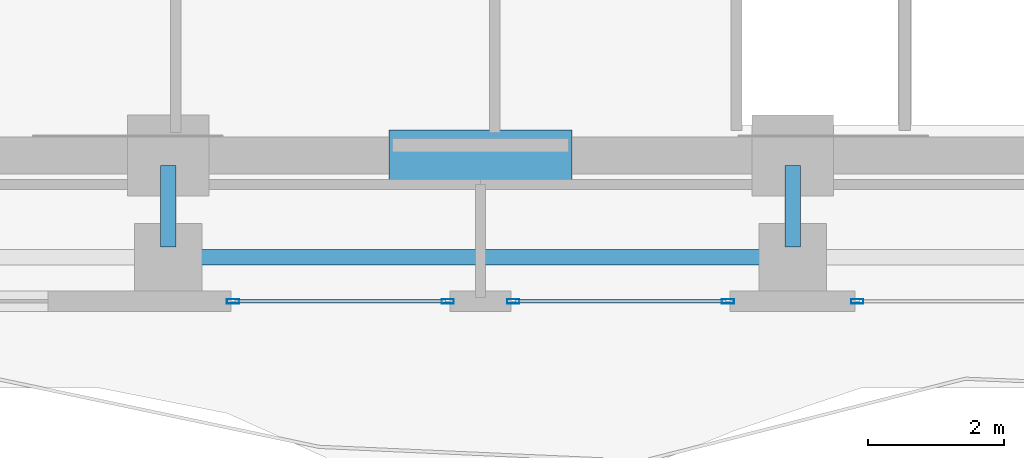
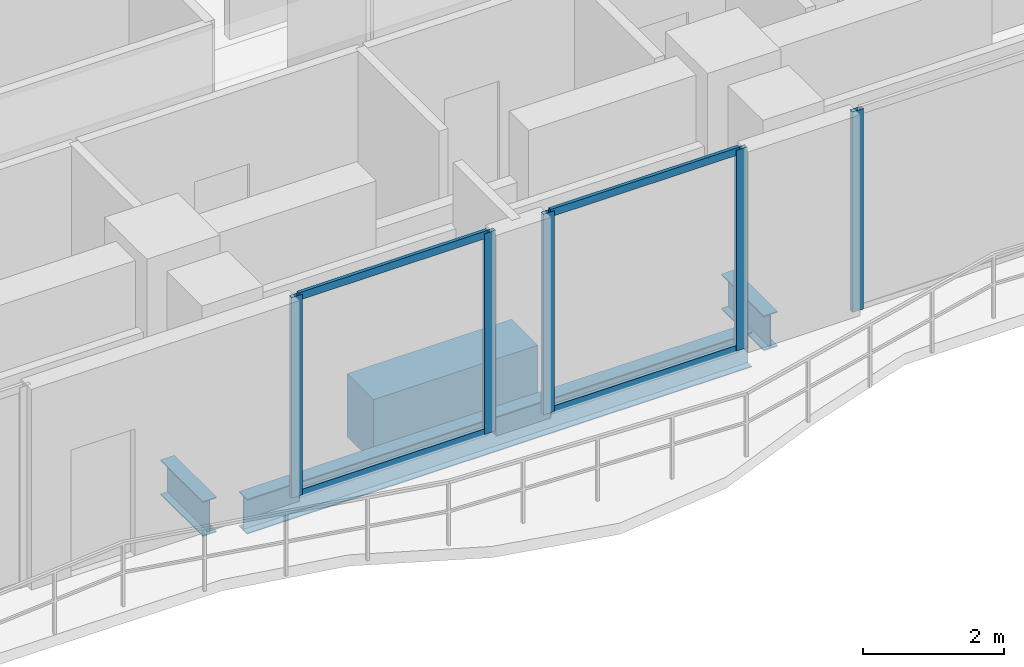
# One storey, part 4 of 24: 9 members, 4 beams, 3 elements without a shape of their own.
"""IFC4 building model written with IfcOpenShell, lengths in metres."""

from ifc_helpers import new_model, si_unit, direction, frame, origin, origin_2d, place, context, subcontext, project, spatial, rectangle, hollow_rectangle, i_section, extrude, material, layer, layer_set, material_profile, profile_set, type_object, element, aggregate, save


model = new_model("IFC4")

# Units and contexts
model_context = context("Model", 3, precision=1e-05, world=origin(), true_north=direction((0.0, 1.0)))
body_context = subcontext(model_context, "Body", "Model", "MODEL_VIEW")
ifc_project = project(units=[si_unit("LENGTHUNIT", "METRE"), si_unit("AREAUNIT", "SQUARE_METRE"), si_unit("VOLUMEUNIT", "CUBIC_METRE"), si_unit("PLANEANGLEUNIT", "RADIAN"), si_unit("MASSUNIT", "GRAM", prefix="KILO")], contexts=[model_context])

# Site, building, storey
site_placement = place(None, origin())
site = spatial("IfcSite", under=ifc_project, at=site_placement, CompositionType="ELEMENT")
building_placement = place(site_placement, origin())
building = spatial("IfcBuilding", under=site, at=building_placement, Name="Zuhayl Quay Hotel", CompositionType="ELEMENT")
storey_placement = place(building_placement, frame((0.0, 0.0, 269.25)))
storey = spatial("IfcBuildingStorey", under=building, at=storey_placement, Name="L68", CompositionType="ELEMENT", Elevation=269.25)

# Beams
ifc_material_1 = material(Name="Steel ASTM A992 Grade 50", Category="steel")
ifc_material_profile_1 = material_profile(ifc_material_1, i_section(OverallWidth=0.22802734375, OverallDepth=0.60693359375, WebThickness=0.01123046875, FlangeThickness=0.017333984375, at=origin_2d()), Name="W24X76")
ifc_profile_set_1 = profile_set([ifc_material_profile_1], Name="Steel ASTM A992 Grade 50")
beam_type_1 = type_object("IfcBeamType", Name="BM_B3_W24X76", PredefinedType="BEAM", material=ifc_profile_set_1)
beam_1_placement = place(storey_placement, frame((-4.139892578125, 0.64990234375, -0.5234375), z_axis=(1.0, 0.0, 0.0), x_axis=(0.0, 1.0, 0.0)))
element("IfcBeam", 1, at=beam_1_placement, inside=storey, type_object=beam_type_1, Name="L68 Floor Beam RG_L68_02", PredefinedType="BEAM", context=body_context, shape_type="SweptSolid", body=[
    extrude(i_section(OverallWidth=0.22802734375, OverallDepth=0.60693359375, WebThickness=0.01123046875, FlangeThickness=0.017333984375, at=origin_2d()), origin(), (0.0, 0.0, 1.0), 8.27978515625),
])
for number, where, z_axis, x_axis, name in (
    (2, (-4.60009765625, 0.800048828125, -0.5234375), (0.0, 1.0, 0.0), (-1.0, 0.0, 0.0), "L68 Floor Beam FG_S_L68_2"),
    (3, (4.60009765625, 0.800048828125, -0.5234375), (0.0, 1.0, 0.0), (-1.0, 0.0, 0.0), "L68 Floor Beam FG_S_L68_3"),
):
    element("IfcBeam", number, at=place(storey_placement, frame(where, z_axis=z_axis, x_axis=x_axis)), inside=storey, type_object=beam_type_1, Name=name, PredefinedType="BEAM", context=body_context, shape_type="SweptSolid", body=[
        extrude(i_section(OverallWidth=0.22802734375, OverallDepth=0.60693359375, WebThickness=0.01123046875, FlangeThickness=0.017333984375, at=origin_2d()), origin(), (0.0, 0.0, 1.0), 1.199951171875),
    ])
ifc_material_2 = material(Name="Concrete C60/75", Category="concrete")
ifc_material_profile_2 = material_profile(ifc_material_2, rectangle(XDim=0.75, YDim=1.10009765625, at=origin_2d()), Name="RC750X1100")
ifc_profile_set_2 = profile_set([ifc_material_profile_2], Name="Concrete C60/75")
beam_type_2 = type_object("IfcBeamType", Name="BM_CB2_RC750", PredefinedType="T_BEAM", material=ifc_profile_set_2)
beam_2_placement = place(storey_placement, frame((-1.35009765625, 2.14990234375, -0.77001953125), z_axis=(1.0, 0.0, 0.0), x_axis=(0.0, 1.0, 0.0)))
element("IfcBeam", 4, at=beam_2_placement, inside=storey, type_object=beam_type_2, Name="L68 Core Coupling Beam South", PredefinedType="T_BEAM", context=body_context, shape_type="SweptSolid", body=[
    extrude(rectangle(XDim=0.75, YDim=1.10009765625, at=origin_2d()), origin(), (0.0, 0.0, 1.0), 2.7001953125),
])

# Curtain wall, member
ifc_material_3 = material(Name="Anodised Aluminium 6063-T6", Category="aluminium")
ifc_layer = layer(ifc_material_3, 0.169921875, Name="Anodised Aluminium 6063-T6", Category="aluminium")
ifc_layer_set = layer_set([ifc_layer], Name="Anodised Aluminium 6063-T6")
curtain_wall_type = type_object("IfcCurtainWallType", Name="CW_SYS_Z4", PredefinedType="USERDEFINED", material=ifc_layer_set)
curtain_wall_1_placement = place(storey_placement, origin())
curtain_wall_1 = element("IfcCurtainWall", 5, at=curtain_wall_1_placement, inside=storey, type_object=curtain_wall_type, Name="L68 Curtain Wall ENV_L68_S_CW1", ObjectType="UNITISED CURTAIN WALL", PredefinedType="USERDEFINED")
ifc_material_4 = material(Name="Black-anodised aluminium 6063-T6", Category="aluminium")
ifc_material_profile_3 = material_profile(ifc_material_4, hollow_rectangle(XDim=0.06494140625, YDim=0.179931640625, WallThickness=0.00341796875, at=origin_2d()), Name="ALU180X65")
ifc_profile_set_3 = profile_set([ifc_material_profile_3], Name="Black-anodised aluminium 6063-T6")
member_type_1 = type_object("IfcMemberType", Name="MB_CW_MUL_180", PredefinedType="MULLION", material=ifc_profile_set_3)
member_1_placement = place(storey_placement, frame((5.552490234375, 0.0, 0.0), z_axis=(0.0, 0.0, 1.0), x_axis=(0.0, -1.0, 0.0)))
member_1 = element("IfcMember", 6, at=member_1_placement, type_object=member_type_1, Name="CW-Z4 mullion 2", PredefinedType="MULLION", context=body_context, shape_type="SweptSolid", body=[
    extrude(hollow_rectangle(XDim=0.06494140625, YDim=0.179931640625, WallThickness=0.00341796875, at=origin_2d()), origin(), (0.0, 0.0, 1.0), 3.47998046875),
])
aggregate(curtain_wall_1, [member_1])

# Curtain wall, members
curtain_wall_2_placement = place(storey_placement, origin())
curtain_wall_2 = element("IfcCurtainWall", 7, at=curtain_wall_2_placement, inside=storey, type_object=curtain_wall_type, Name="L68 Curtain Wall ENV_L68_S_CW2", ObjectType="UNITISED CURTAIN WALL", PredefinedType="USERDEFINED")
member_2_placement = place(storey_placement, frame((3.6474609375, 0.0, 0.0), z_axis=(0.0, 0.0, 1.0), x_axis=(0.0, -1.0, 0.0)))
member_2 = element("IfcMember", 8, at=member_2_placement, type_object=member_type_1, Name="CW-Z4 mullion 1", PredefinedType="MULLION", context=body_context, shape_type="SweptSolid", body=[
    extrude(hollow_rectangle(XDim=0.06494140625, YDim=0.179931640625, WallThickness=0.00341796875, at=origin_2d()), origin(), (0.0, 0.0, 1.0), 3.47998046875),
])
member_3_placement = place(storey_placement, frame((0.482421875, 0.0, 0.0), z_axis=(0.0, 0.0, 1.0), x_axis=(0.0, -1.0, 0.0)))
member_3 = element("IfcMember", 9, at=member_3_placement, type_object=member_type_1, Name="CW-Z4 mullion 2", PredefinedType="MULLION", context=body_context, shape_type="SweptSolid", body=[
    extrude(hollow_rectangle(XDim=0.06494140625, YDim=0.179931640625, WallThickness=0.00341796875, at=origin_2d()), origin(), (0.0, 0.0, 1.0), 3.47998046875),
])

curtain_wall_3_placement = place(storey_placement, origin())
curtain_wall_3 = element("IfcCurtainWall", 10, at=curtain_wall_3_placement, inside=storey, type_object=curtain_wall_type, Name="L68 Curtain Wall ENV_L68_S_CW3", ObjectType="UNITISED CURTAIN WALL", PredefinedType="USERDEFINED")
member_4_placement = place(storey_placement, frame((-0.482421875, 0.0, 0.0), z_axis=(0.0, 0.0, 1.0), x_axis=(0.0, -1.0, 0.0)))
member_4 = element("IfcMember", 11, at=member_4_placement, type_object=member_type_1, Name="CW-Z4 mullion 1", PredefinedType="MULLION", context=body_context, shape_type="SweptSolid", body=[
    extrude(hollow_rectangle(XDim=0.06494140625, YDim=0.179931640625, WallThickness=0.00341796875, at=origin_2d()), origin(), (0.0, 0.0, 1.0), 3.47998046875),
])
member_5_placement = place(storey_placement, frame((-3.6474609375, 0.0, 0.0), z_axis=(0.0, 0.0, 1.0), x_axis=(0.0, -1.0, 0.0)))
member_5 = element("IfcMember", 12, at=member_5_placement, type_object=member_type_1, Name="CW-Z4 mullion 2", PredefinedType="MULLION", context=body_context, shape_type="SweptSolid", body=[
    extrude(hollow_rectangle(XDim=0.06494140625, YDim=0.179931640625, WallThickness=0.00341796875, at=origin_2d()), origin(), (0.0, 0.0, 1.0), 3.47998046875),
])

# Member
ifc_material_profile_4 = material_profile(ifc_material_4, hollow_rectangle(XDim=0.054931640625, YDim=0.1298828125, WallThickness=0.0029296875, at=origin_2d()), Name="ALU130X55")
ifc_profile_set_4 = profile_set([ifc_material_profile_4], Name="Black-anodised aluminium 6063-T6")
member_type_2 = type_object("IfcMemberType", Name="MB_CW_TRN_130", PredefinedType="USERDEFINED", material=ifc_profile_set_4)
member_6_placement = place(storey_placement, frame((3.614990234375, 0.0, 0.027587890625), z_axis=(-1.0, 0.0, 0.0), x_axis=(0.0, -1.0, 0.0)))
member_6 = element("IfcMember", 13, at=member_6_placement, type_object=member_type_2, Name="CW-Z4 transom 1.1", ObjectType="TRANSOM", PredefinedType="USERDEFINED", context=body_context, shape_type="SweptSolid", body=[
    extrude(hollow_rectangle(XDim=0.054931640625, YDim=0.1298828125, WallThickness=0.0029296875, at=origin_2d()), origin(), (0.0, 0.0, 1.0), 3.10009765625),
])

member_7_placement = place(storey_placement, frame((3.614990234375, 0.0, 3.452392578125), z_axis=(-1.0, 0.0, 0.0), x_axis=(0.0, -1.0, 0.0)))
member_7 = element("IfcMember", 14, at=member_7_placement, type_object=member_type_2, Name="CW-Z4 transom 1.2", ObjectType="TRANSOM", PredefinedType="USERDEFINED", context=body_context, shape_type="SweptSolid", body=[
    extrude(hollow_rectangle(XDim=0.054931640625, YDim=0.1298828125, WallThickness=0.0029296875, at=origin_2d()), origin(), (0.0, 0.0, 1.0), 3.10009765625),
])

aggregate(curtain_wall_2, [member_2, member_3, member_6, member_7])

member_8_placement = place(storey_placement, frame((-0.514892578125, 0.0, 0.027587890625), z_axis=(-1.0, 0.0, 0.0), x_axis=(0.0, -1.0, 0.0)))
member_8 = element("IfcMember", 15, at=member_8_placement, type_object=member_type_2, Name="CW-Z4 transom 1.1", ObjectType="TRANSOM", PredefinedType="USERDEFINED", context=body_context, shape_type="SweptSolid", body=[
    extrude(hollow_rectangle(XDim=0.054931640625, YDim=0.1298828125, WallThickness=0.0029296875, at=origin_2d()), origin(), (0.0, 0.0, 1.0), 3.10009765625),
])

member_9_placement = place(storey_placement, frame((-0.514892578125, 0.0, 3.452392578125), z_axis=(-1.0, 0.0, 0.0), x_axis=(0.0, -1.0, 0.0)))
member_9 = element("IfcMember", 16, at=member_9_placement, type_object=member_type_2, Name="CW-Z4 transom 1.2", ObjectType="TRANSOM", PredefinedType="USERDEFINED", context=body_context, shape_type="SweptSolid", body=[
    extrude(hollow_rectangle(XDim=0.054931640625, YDim=0.1298828125, WallThickness=0.0029296875, at=origin_2d()), origin(), (0.0, 0.0, 1.0), 3.10009765625),
])

aggregate(curtain_wall_3, [member_4, member_5, member_8, member_9])

save(model, "model.ifc")
